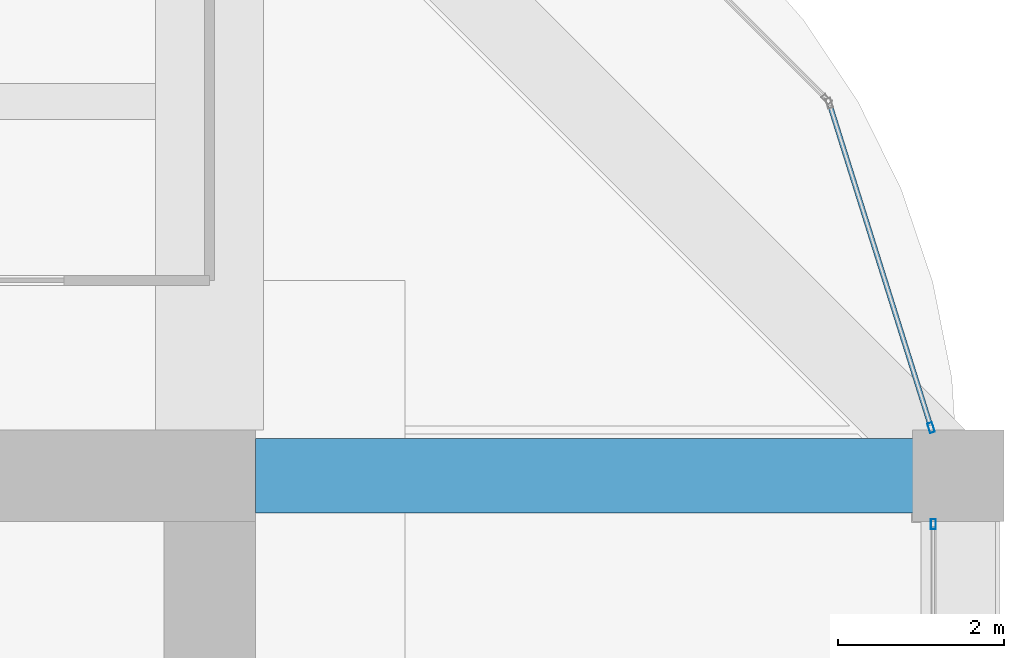
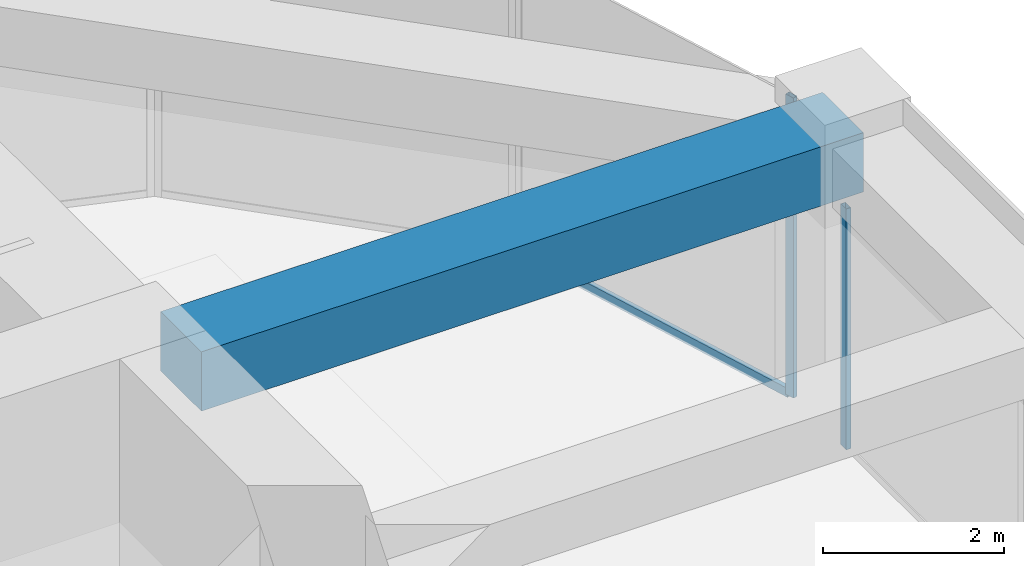
# One storey, part 36 of 44: 3 members, 1 beam, 2 elements without a shape of their own.
"""IFC4 building model written with IfcOpenShell, lengths in metres."""

from ifc_helpers import new_model, si_unit, direction, frame, origin, origin_2d, place, context, subcontext, project, spatial, rectangle, hollow_rectangle, extrude, material, material_profile, profile_set, type_object, element, aggregate, save


model = new_model("IFC4")

# Units and contexts
model_context = context("Model", 3, precision=1e-05, world=origin(), true_north=direction((0.0, 1.0)))
body_context = subcontext(model_context, "Body", "Model", "MODEL_VIEW")
ifc_project = project(units=[si_unit("LENGTHUNIT", "METRE"), si_unit("AREAUNIT", "SQUARE_METRE"), si_unit("VOLUMEUNIT", "CUBIC_METRE"), si_unit("PLANEANGLEUNIT", "RADIAN"), si_unit("MASSUNIT", "GRAM", prefix="KILO")], contexts=[model_context])

# Site, building, storey
site_placement = place(None, origin())
site = spatial("IfcSite", under=ifc_project, at=site_placement, CompositionType="ELEMENT")
building_placement = place(site_placement, origin())
building = spatial("IfcBuilding", under=site, at=building_placement, Name="Zorevar Civic Tower", CompositionType="ELEMENT")
storey_placement = place(building_placement, frame((0.0, 0.0, 307.39990234375)))
storey = spatial("IfcBuildingStorey", under=building, at=storey_placement, Name="L75", CompositionType="ELEMENT", Elevation=307.39990234375)

# Beam
ifc_material_1 = material(Name="Concrete C50/60", Category="concrete")
ifc_material_profile_1 = material_profile(ifc_material_1, rectangle(XDim=0.89990234375, YDim=0.800048828125, at=origin_2d()), Name="RC 900x800")
ifc_profile_set_1 = profile_set([ifc_material_profile_1], Name="Concrete C50/60")
beam_type = type_object("IfcBeamType", Name="Beam RC 900x800", PredefinedType="BEAM", material=ifc_profile_set_1)
beam_placement = place(storey_placement, frame((45.550048828125, 36.0, 3.650146484375), z_axis=(1.0, 0.0, 0.0), x_axis=(0.0, 1.0, 0.0)))
element("IfcBeam", 1, at=beam_placement, inside=storey, type_object=beam_type, Name="Girder RF", PredefinedType="BEAM", context=body_context, shape_type="SweptSolid", body=[
    extrude(rectangle(XDim=0.89990234375, YDim=0.800048828125, at=origin_2d()), origin(), (0.0, 0.0, 1.0), 8.449951171875),
])

# Curtain wall, member
ifc_material_2 = material(Name="Dark grey solar-control glass in black aluminium frame", Category="aluminium")
curtain_wall_type = type_object("IfcCurtainWallType", Name="Curtain wall CW5 top zone", PredefinedType="NOTDEFINED", material=ifc_material_2)
curtain_wall_1_placement = place(storey_placement, origin())
curtain_wall_1 = element("IfcCurtainWall", 2, at=curtain_wall_1_placement, inside=storey, type_object=curtain_wall_type, Name="CW5 L75", PredefinedType="NOTDEFINED")
ifc_material_3 = material(Name="Aluminium, black anodised", Category="aluminium")
ifc_material_profile_2 = material_profile(ifc_material_3, hollow_rectangle(XDim=0.06005859375, YDim=0.1201171875, WallThickness=0.0029296875, at=origin_2d()), Name="AL 120x60x3")
ifc_profile_set_2 = profile_set([ifc_material_profile_2], Name="Aluminium, black anodised")
member_type_1 = type_object("IfcMemberType", Name="CW5 mullion AL 120x60x3", PredefinedType="MULLION", material=ifc_profile_set_2)
member_1_placement = place(storey_placement, frame((53.699951171875, 35.419921875, 0.0), z_axis=(0.0, 0.0, 1.0), x_axis=(-1.0, 0.0, 0.0)))
member_1 = element("IfcMember", 3, at=member_1_placement, type_object=member_type_1, Name="CW5 mullion 3", PredefinedType="MULLION", context=body_context, shape_type="SweptSolid", body=[
    extrude(hollow_rectangle(XDim=0.06005859375, YDim=0.1201171875, WallThickness=0.0029296875, at=origin_2d()), origin(), (0.0, 0.0, 1.0), 3.25),
])
aggregate(curtain_wall_1, [member_1])

# Curtain wall, members
curtain_wall_2_placement = place(storey_placement, origin())
curtain_wall_2 = element("IfcCurtainWall", 4, at=curtain_wall_2_placement, inside=storey, type_object=curtain_wall_type, Name="CW5 L75", PredefinedType="NOTDEFINED")
member_2_placement = place(storey_placement, frame((53.673583984375, 36.57861328125, 0.0), z_axis=(0.0, 0.0, 1.0), x_axis=(-0.954153437674, -0.299317920238, 0.0)))
member_2 = element("IfcMember", 5, at=member_2_placement, type_object=member_type_1, Name="CW5 mullion 1", PredefinedType="MULLION", context=body_context, shape_type="SweptSolid", body=[
    extrude(hollow_rectangle(XDim=0.06005859375, YDim=0.1201171875, WallThickness=0.0029296875, at=origin_2d()), origin(), (0.0, 0.0, 1.0), 4.050048828125),
])
ifc_material_4 = material(Name="Aluminium, black anodised", Category="aluminium")
ifc_material_profile_3 = material_profile(ifc_material_4, hollow_rectangle(XDim=0.06005859375, YDim=0.1201171875, WallThickness=0.0029296875, at=origin_2d()), Name="AL 120x60x3")
ifc_profile_set_3 = profile_set([ifc_material_profile_3], Name="Aluminium, black anodised")
member_type_2 = type_object("IfcMemberType", Name="CW5 transom AL 120x60x3", PredefinedType="USERDEFINED", material=ifc_profile_set_3)
member_3_placement = place(storey_placement, frame((53.66455078125, 36.607177734375, 0.030029296875), z_axis=(-0.299285978047, 0.954163457351, 0.0), x_axis=(-0.954163457351, -0.299285978047, 0.0)))
member_3 = element("IfcMember", 6, at=member_3_placement, type_object=member_type_2, Name="CW5 sill transom", ObjectType="TRANSOM", PredefinedType="USERDEFINED", context=body_context, shape_type="SweptSolid", body=[
    extrude(hollow_rectangle(XDim=0.06005859375, YDim=0.1201171875, WallThickness=0.0029296875, at=origin_2d()), origin(), (0.0, 0.0, 1.0), 4.028076171875),
])
aggregate(curtain_wall_2, [member_2, member_3])

save(model, "model.ifc")
